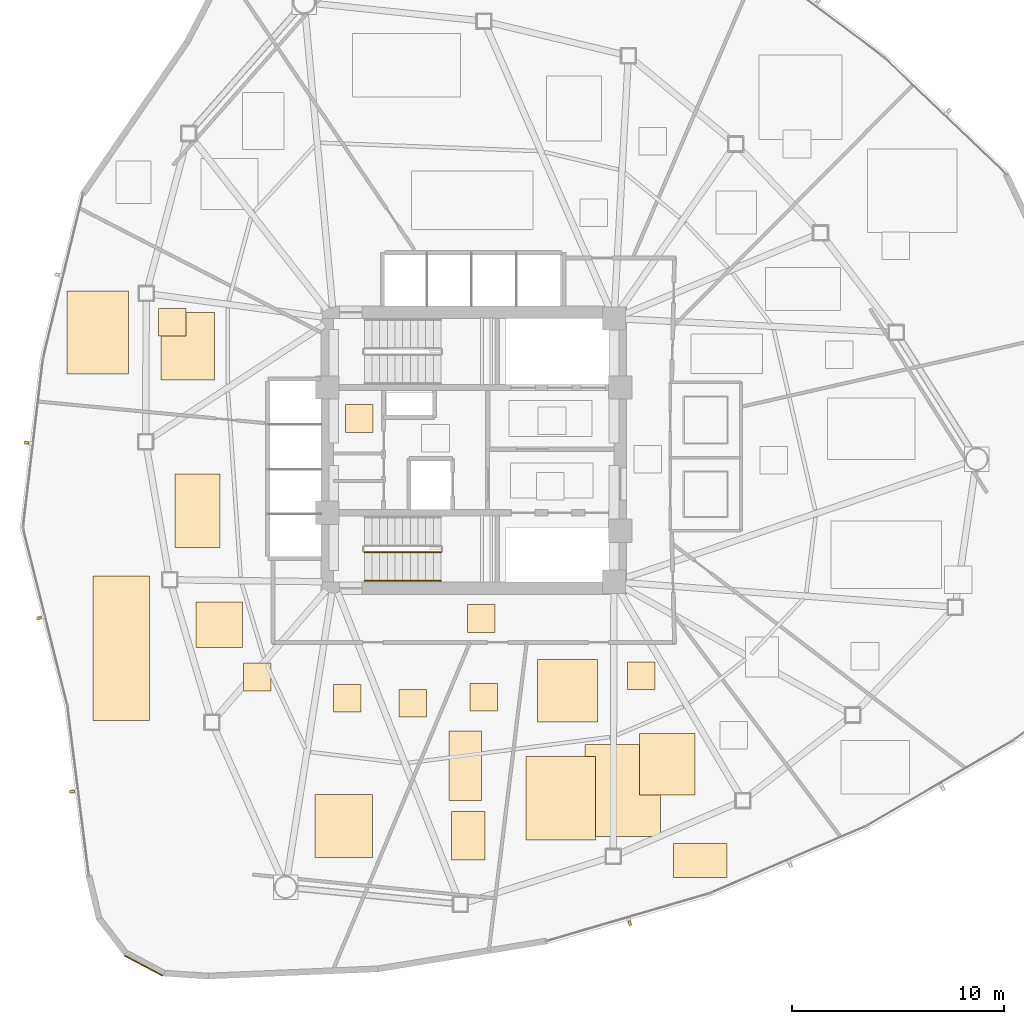
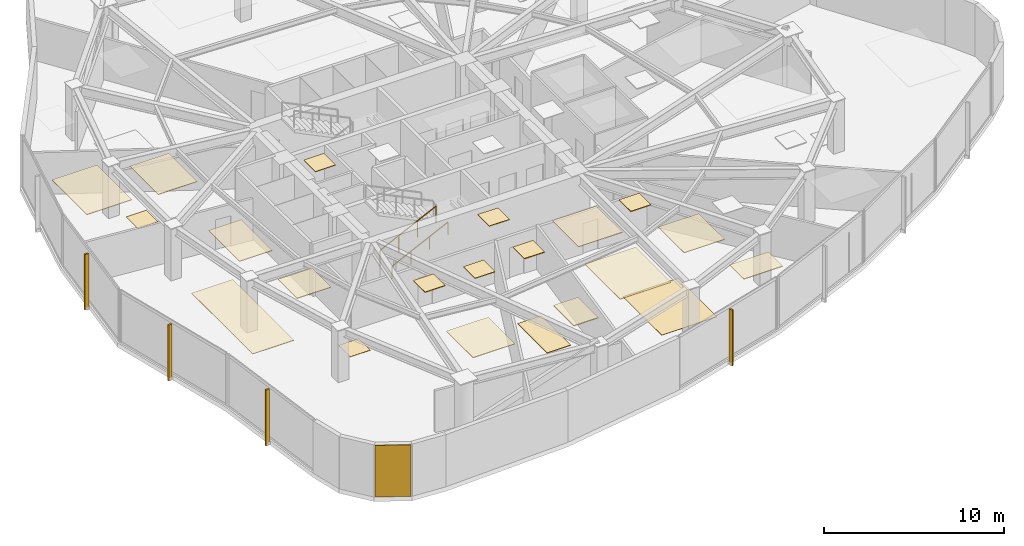
# One storey, part 14 of 17: 22 coverings, 4 shading devices, 2 railings.
"""IFC4 building model written with IfcOpenShell, lengths in metres."""

from ifc_helpers import new_model, si_unit, direction, frame, origin, origin_2d, place, context, subcontext, project, spatial, polyline, rectangle, outline, extrude, source, transform, mapped, material, layer, layer_set, type_object, type_shapes, element, save


model = new_model("IFC4")

# Units and contexts
model_context = context("Model", 3, precision=1e-05, world=origin(), true_north=direction((0.0, 1.0)))
body_context = subcontext(model_context, "Body", "Model", "MODEL_VIEW")
ifc_project = project(units=[si_unit("LENGTHUNIT", "METRE"), si_unit("AREAUNIT", "SQUARE_METRE"), si_unit("VOLUMEUNIT", "CUBIC_METRE"), si_unit("PLANEANGLEUNIT", "RADIAN"), si_unit("MASSUNIT", "GRAM", prefix="KILO")], contexts=[model_context])

# Site, building, storey
site_placement = place(None, origin())
site = spatial("IfcSite", under=ifc_project, at=site_placement, CompositionType="ELEMENT")
building_placement = place(site_placement, origin())
building = spatial("IfcBuilding", under=site, at=building_placement, Name="Tavelor Broadcast Tower", CompositionType="ELEMENT")
storey_placement = place(building_placement, frame((0.0, 0.0, 115.60009765625)))
storey = spatial("IfcBuildingStorey", under=building, at=storey_placement, Name="L26", CompositionType="ELEMENT", Elevation=115.60009765625)

# Covering
ifc_material_1 = material(Name="Copper-Bronze Anodized Aluminium", Category="aluminium")
ifc_layer_1 = layer(ifc_material_1, 0.050048828125)
ifc_layer_set_1 = layer_set([ifc_layer_1], Name="Copper-Bronze Anodized Aluminium")
covering_type_1 = type_object("IfcCoveringType", Name="Champagne-Bronze Corner Pier Metal Cladding 50 mm", PredefinedType="CLADDING", material=ifc_layer_set_1)
covering_1_placement = place(storey_placement, frame((34.444091796875, 20.732666015625, 0.02001953125), z_axis=(0.0, 0.0, 1.0), x_axis=(0.882537565484, -0.470241901057, 0.0)))
element("IfcCovering", 1, at=covering_1_placement, inside=storey, type_object=covering_type_1, Name="L26 Champagne-Bronze Corner Cladding 13", PredefinedType="CLADDING", context=body_context, shape_type="SweptSolid", body=[
    extrude(rectangle(XDim=2.01171875, YDim=0.050048828125, at=origin_2d()), origin(), (0.0, 0.0, 1.0), 3.510009765625),
])

# Railing
ifc_material_2 = material(Name="Steel S355", Category="steel")
railing_type_1 = type_object("IfcRailingType", Name="Continuous Brushed Stainless Handrail 900 mm", PredefinedType="HANDRAIL", material=ifc_material_2)
railing_1_placement = place(storey_placement, frame((44.85009765625, 38.85009765625, 0.1748046875)))
element("IfcRailing", 2, at=railing_1_placement, inside=storey, type_object=railing_type_1, Name="L26 ST2 stair handrail 1", PredefinedType="HANDRAIL", context=body_context, shape_type="SweptSolid", body=[
    extrude(rectangle(XDim=0.048095703125, YDim=0.048095703125, at=origin_2d()), frame((0.0, 0.0, 0.8759765625), z_axis=(0.899360859046, 0.0, 0.437207096483), x_axis=(0.0, 1.0, 0.0)), (0.0, 0.0, 1.0), 4.002685546875),
    extrude(rectangle(XDim=0.0419921875, YDim=0.0419921875, at=origin_2d()), origin(), (0.0, 0.0, 1.0), 0.851806640625),
    extrude(rectangle(XDim=0.0419921875, YDim=0.0419921875, at=origin_2d()), frame((1.199951171875, 0.0, 0.583251953125)), (0.0, 0.0, 1.0), 0.851806640625),
    extrude(rectangle(XDim=0.0419921875, YDim=0.0419921875, at=origin_2d()), frame((2.39990234375, 0.0, 1.166748046875)), (0.0, 0.0, 1.0), 0.851806640625),
    extrude(rectangle(XDim=0.0419921875, YDim=0.0419921875, at=origin_2d()), frame((3.599853515625, 0.0, 1.75)), (0.0, 0.0, 1.0), 0.851806640625),
])

# Coverings
ifc_material_3 = material(Name="Architectural Anodized Aluminium", Category="aluminium")
ifc_layer_2 = layer(ifc_material_3, 0.034912109375)
ifc_layer_set_2 = layer_set([ifc_layer_2], Name="Architectural Anodized Aluminium")
covering_type_2 = type_object("IfcCoveringType", Name="Demountable Metal Tile Corridor Ceiling 35 mm", PredefinedType="CEILING", material=ifc_layer_set_2)
covering_2_placement = place(storey_placement, frame((0.0, 0.0, 3.514892578125)))
element("IfcCovering", 3, at=covering_2_placement, inside=storey, type_object=covering_type_2, Name="L26 Suspended Acoustic Ceiling 1008", PredefinedType="CEILING", context=body_context, shape_type="SweptSolid", body=[
    extrude(outline(polyline([(49.694091796875, 36.425048828125), (50.994140625, 36.425048828125), (50.994140625, 37.72509765625), (49.694091796875, 37.72509765625), (49.694091796875, 36.425048828125)])), origin(), (0.0, 0.0, 1.0), 0.034912109375),
])
ifc_material_4 = material(Name="Acoustic Nylon Carpet Tile")
ifc_layer_3 = layer(ifc_material_4, 0.02001953125)
ifc_layer_set_3 = layer_set([ifc_layer_3], Name="Acoustic Nylon Carpet Tile")
covering_type_3 = type_object("IfcCoveringType", Name="Heavy-Duty Acoustic Broadcast Carpet Tile 20 mm", PredefinedType="FLOORING", material=ifc_layer_set_3)
covering_3_placement = place(storey_placement, origin())
element("IfcCovering", 4, at=covering_3_placement, inside=storey, type_object=covering_type_3, Name="L26 Broadcast Floor Finish 0360", PredefinedType="FLOORING", context=body_context, shape_type="SweptSolid", body=[
    extrude(outline(polyline([(55.229248046875, 26.821533203125), (58.79541015625, 26.821533203125), (58.79541015625, 31.140869140625), (55.229248046875, 31.140869140625), (55.229248046875, 26.821533203125)])), origin(), (0.0, 0.0, 1.0), 0.02001953125),
])
covering_4_placement = place(storey_placement, origin())
element("IfcCovering", 5, at=covering_4_placement, inside=storey, type_object=covering_type_3, Name="L26 Broadcast Floor Finish 0362", PredefinedType="FLOORING", context=body_context, shape_type="SweptSolid", body=[
    extrude(outline(polyline([(39.155517578125, 33.671630859375), (40.45556640625, 33.671630859375), (40.45556640625, 34.9716796875), (39.155517578125, 34.9716796875), (39.155517578125, 33.671630859375)])), origin(), (0.0, 0.0, 1.0), 0.02001953125),
])
covering_5_placement = place(storey_placement, origin())
element("IfcCovering", 6, at=covering_5_placement, inside=storey, type_object=covering_type_3, Name="L26 Broadcast Floor Finish 0363", PredefinedType="FLOORING", context=body_context, shape_type="SweptSolid", body=[
    extrude(outline(polyline([(35.14990234375, 50.377685546875), (36.449951171875, 50.377685546875), (36.449951171875, 51.677490234375), (35.14990234375, 51.677490234375), (35.14990234375, 50.377685546875)])), origin(), (0.0, 0.0, 1.0), 0.02001953125),
])
ifc_material_5 = material(Name="Acoustic Hardwood Studio Flooring", Category="wood")
ifc_layer_4 = layer(ifc_material_5, 0.034912109375)
ifc_layer_set_4 = layer_set([ifc_layer_4], Name="Acoustic Hardwood Studio Flooring")
covering_type_4 = type_object("IfcCoveringType", Name="Isolated Studio Acoustic Elastomeric Floor Finish 35 mm", PredefinedType="FLOORING", material=ifc_layer_set_4)
covering_6_placement = place(storey_placement, origin())
element("IfcCovering", 7, at=covering_6_placement, inside=storey, type_object=covering_type_4, Name="L26 Broadcast Floor Finish 0361", PredefinedType="FLOORING", context=body_context, shape_type="SweptSolid", body=[
    extrude(outline(polyline([(48.83544921875, 28.502197265625), (50.355712890625, 28.502197265625), (50.355712890625, 31.788818359375), (48.83544921875, 31.788818359375), (48.83544921875, 28.502197265625)])), origin(), (0.0, 0.0, 1.0), 0.034912109375),
])
ifc_material_6 = material(Name="Acoustic Perforated Timber Baffle", Category="wood")
ifc_layer_5 = layer(ifc_material_6, 0.054931640625)
ifc_layer_set_5 = layer_set([ifc_layer_5], Name="Acoustic Perforated Timber Baffle")
covering_type_5 = type_object("IfcCoveringType", Name="Micro-Perforated Acoustic Baffle Studio Ceiling 55 mm", PredefinedType="CEILING", material=ifc_layer_set_5)
covering_7_placement = place(storey_placement, frame((0.0, 0.0, 3.494873046875)))
element("IfcCovering", 8, at=covering_7_placement, inside=storey, type_object=covering_type_5, Name="L26 Suspended Acoustic Ceiling 1028", PredefinedType="CEILING", context=body_context, shape_type="SweptSolid", body=[
    extrude(outline(polyline([(49.8134765625, 32.716796875), (51.113525390625, 32.716796875), (51.113525390625, 34.0166015625), (49.8134765625, 34.0166015625), (49.8134765625, 32.716796875)])), origin(), (0.0, 0.0, 1.0), 0.054931640625),
])
covering_8_placement = place(storey_placement, frame((0.0, 0.0, 3.494873046875)))
element("IfcCovering", 9, at=covering_8_placement, inside=storey, type_object=covering_type_5, Name="L26 Suspended Acoustic Ceiling 1029", PredefinedType="CEILING", context=body_context, shape_type="SweptSolid", body=[
    extrude(outline(polyline([(48.939453125, 25.694580078125), (50.518798828125, 25.694580078125), (50.518798828125, 27.979736328125), (48.939453125, 27.979736328125), (48.939453125, 25.694580078125)])), origin(), (0.0, 0.0, 1.0), 0.054931640625),
])
ifc_layer_6 = layer(ifc_material_3, 0.030029296875)
ifc_layer_set_6 = layer_set([ifc_layer_6], Name="Architectural Anodized Aluminium")
covering_type_6 = type_object("IfcCoveringType", Name="Moisture-Resistant Washroom Ceiling 30 mm", PredefinedType="CEILING", material=ifc_layer_set_6)
covering_9_placement = place(storey_placement, frame((0.0, 0.0, 3.52001953125)))
element("IfcCovering", 10, at=covering_9_placement, inside=storey, type_object=covering_type_6, Name="L26 Suspended Acoustic Ceiling 1007", PredefinedType="CEILING", context=body_context, shape_type="SweptSolid", body=[
    extrude(outline(polyline([(43.951416015625, 45.843017578125), (45.25146484375, 45.843017578125), (45.25146484375, 47.14306640625), (43.951416015625, 47.14306640625), (43.951416015625, 45.843017578125)])), origin(), (0.0, 0.0, 1.0), 0.02978515625),
])

# Railing
railing_type_2 = type_object("IfcRailingType", Name="Stairwell Steel Safety Guardrail 1150 mm", PredefinedType="GUARDRAIL", material=ifc_material_2)
railing_2_placement = place(storey_placement, frame((44.85009765625, 40.199951171875, 0.1748046875)))
element("IfcRailing", 11, at=railing_2_placement, inside=storey, type_object=railing_type_2, Name="L26 ST2 stair guard 1", PredefinedType="GUARDRAIL", context=body_context, shape_type="SweptSolid", body=[
    extrude(rectangle(XDim=0.048095703125, YDim=0.048095703125, at=origin_2d()), frame((0.0, 0.0, 1.1259765625), z_axis=(0.899360859046, 0.0, 0.437207096483), x_axis=(0.0, 1.0, 0.0)), (0.0, 0.0, 1.0), 4.002685546875),
    extrude(rectangle(XDim=0.0419921875, YDim=0.0419921875, at=origin_2d()), origin(), (0.0, 0.0, 1.0), 1.101806640625),
    extrude(rectangle(XDim=0.0419921875, YDim=0.0419921875, at=origin_2d()), frame((1.199951171875, 0.0, 0.583251953125)), (0.0, 0.0, 1.0), 1.101806640625),
    extrude(rectangle(XDim=0.0419921875, YDim=0.0419921875, at=origin_2d()), frame((2.39990234375, 0.0, 1.166748046875)), (0.0, 0.0, 1.0), 1.101806640625),
    extrude(rectangle(XDim=0.0419921875, YDim=0.0419921875, at=origin_2d()), frame((3.599853515625, 0.0, 1.75)), (0.0, 0.0, 1.0), 1.101806640625),
])

# Coverings
ifc_material_7 = material(Name="Acoustic Mineral Fibre Tile")
ifc_layer_7 = layer(ifc_material_7, 0.0400390625)
ifc_layer_set_7 = layer_set([ifc_layer_7], Name="Acoustic Mineral Fibre Tile")
covering_type_7 = type_object("IfcCoveringType", Name="Suspended Acoustic Mineral-Fibre Office Ceiling 40 mm", PredefinedType="CEILING", material=ifc_layer_set_7)
covering_10_placement = place(storey_placement, frame((0.0, 0.0, 3.510009765625)))
element("IfcCovering", 12, at=covering_10_placement, inside=storey, type_object=covering_type_7, Name="L26 Suspended Acoustic Ceiling 1022", PredefinedType="CEILING", context=body_context, shape_type="SweptSolid", body=[
    extrude(outline(polyline([(59.404052734375, 24.887939453125), (61.91162109375, 24.887939453125), (61.91162109375, 26.48876953125), (59.404052734375, 26.48876953125), (59.404052734375, 24.887939453125)])), origin(), (0.0, 0.0, 1.0), 0.039794921875),
])
covering_11_placement = place(storey_placement, frame((0.0, 0.0, 3.510009765625)))
element("IfcCovering", 13, at=covering_11_placement, inside=storey, type_object=covering_type_7, Name="L26 Suspended Acoustic Ceiling 1023", PredefinedType="CEILING", context=body_context, shape_type="SweptSolid", body=[
    extrude(outline(polyline([(52.455078125, 26.642333984375), (55.730712890625, 26.642333984375), (55.730712890625, 30.578125), (52.455078125, 30.578125), (52.455078125, 26.642333984375)])), origin(), (0.0, 0.0, 1.0), 0.039794921875),
])
covering_12_placement = place(storey_placement, frame((0.0, 0.0, 3.510009765625)))
element("IfcCovering", 14, at=covering_12_placement, inside=storey, type_object=covering_type_7, Name="L26 Suspended Acoustic Ceiling 1024", PredefinedType="CEILING", context=body_context, shape_type="SweptSolid", body=[
    extrude(outline(polyline([(52.992919921875, 32.205322265625), (55.8291015625, 32.205322265625), (55.8291015625, 35.133544921875), (52.992919921875, 35.133544921875), (52.992919921875, 32.205322265625)])), origin(), (0.0, 0.0, 1.0), 0.039794921875),
])
covering_13_placement = place(storey_placement, frame((0.0, 0.0, 3.510009765625)))
element("IfcCovering", 15, at=covering_13_placement, inside=storey, type_object=covering_type_7, Name="L26 Suspended Acoustic Ceiling 1025", PredefinedType="CEILING", context=body_context, shape_type="SweptSolid", body=[
    extrude(outline(polyline([(57.23193359375, 33.720703125), (58.531982421875, 33.720703125), (58.531982421875, 35.0205078125), (57.23193359375, 35.0205078125), (57.23193359375, 33.720703125)])), origin(), (0.0, 0.0, 1.0), 0.039794921875),
])
covering_14_placement = place(storey_placement, frame((0.0, 0.0, 3.510009765625)))
element("IfcCovering", 16, at=covering_14_placement, inside=storey, type_object=covering_type_7, Name="L26 Suspended Acoustic Ceiling 1027", PredefinedType="CEILING", context=body_context, shape_type="SweptSolid", body=[
    extrude(outline(polyline([(57.797607421875, 28.764892578125), (60.40673828125, 28.764892578125), (60.40673828125, 31.652099609375), (57.797607421875, 31.652099609375), (57.797607421875, 28.764892578125)])), origin(), (0.0, 0.0, 1.0), 0.039794921875),
])
covering_15_placement = place(storey_placement, frame((0.0, 0.0, 3.510009765625)))
element("IfcCovering", 17, at=covering_15_placement, inside=storey, type_object=covering_type_7, Name="L26 Suspended Acoustic Ceiling 1030", PredefinedType="CEILING", context=body_context, shape_type="SweptSolid", body=[
    extrude(outline(polyline([(32.07861328125, 32.268798828125), (34.735595703125, 32.268798828125), (34.735595703125, 39.0849609375), (32.07861328125, 39.0849609375), (32.07861328125, 32.268798828125)])), origin(), (0.0, 0.0, 1.0), 0.039794921875),
])
covering_16_placement = place(storey_placement, frame((0.0, 0.0, 3.510009765625)))
element("IfcCovering", 18, at=covering_16_placement, inside=storey, type_object=covering_type_7, Name="L26 Suspended Acoustic Ceiling 1031", PredefinedType="CEILING", context=body_context, shape_type="SweptSolid", body=[
    extrude(outline(polyline([(35.940673828125, 40.42431640625), (38.0458984375, 40.42431640625), (38.0458984375, 43.874755859375), (35.940673828125, 43.874755859375), (35.940673828125, 40.42431640625)])), origin(), (0.0, 0.0, 1.0), 0.039794921875),
])
covering_17_placement = place(storey_placement, frame((0.0, 0.0, 3.510009765625)))
element("IfcCovering", 19, at=covering_17_placement, inside=storey, type_object=covering_type_7, Name="L26 Suspended Acoustic Ceiling 1032", PredefinedType="CEILING", context=body_context, shape_type="SweptSolid", body=[
    extrude(outline(polyline([(43.39013671875, 32.662353515625), (44.690185546875, 32.662353515625), (44.690185546875, 33.96240234375), (43.39013671875, 33.96240234375), (43.39013671875, 32.662353515625)])), origin(), (0.0, 0.0, 1.0), 0.039794921875),
])
covering_18_placement = place(storey_placement, frame((0.0, 0.0, 3.510009765625)))
element("IfcCovering", 20, at=covering_18_placement, inside=storey, type_object=covering_type_7, Name="L26 Suspended Acoustic Ceiling 1033", PredefinedType="CEILING", context=body_context, shape_type="SweptSolid", body=[
    extrude(outline(polyline([(46.46728515625, 32.436279296875), (47.76708984375, 32.436279296875), (47.76708984375, 33.736083984375), (46.46728515625, 33.736083984375), (46.46728515625, 32.436279296875)])), origin(), (0.0, 0.0, 1.0), 0.039794921875),
])
covering_19_placement = place(storey_placement, frame((0.0, 0.0, 3.510009765625)))
element("IfcCovering", 21, at=covering_19_placement, inside=storey, type_object=covering_type_7, Name="L26 Suspended Acoustic Ceiling 1034", PredefinedType="CEILING", context=body_context, shape_type="SweptSolid", body=[
    extrude(outline(polyline([(42.527099609375, 25.81787109375), (45.2255859375, 25.81787109375), (45.2255859375, 28.79833984375), (42.527099609375, 28.79833984375), (42.527099609375, 25.81787109375)])), origin(), (0.0, 0.0, 1.0), 0.039794921875),
])
covering_20_placement = place(storey_placement, frame((0.0, 0.0, 3.510009765625)))
element("IfcCovering", 22, at=covering_20_placement, inside=storey, type_object=covering_type_7, Name="L26 Suspended Acoustic Ceiling 1035", PredefinedType="CEILING", context=body_context, shape_type="SweptSolid", body=[
    extrude(outline(polyline([(36.922119140625, 35.704345703125), (39.109375, 35.704345703125), (39.109375, 37.8427734375), (36.922119140625, 37.8427734375), (36.922119140625, 35.704345703125)])), origin(), (0.0, 0.0, 1.0), 0.039794921875),
])
covering_21_placement = place(storey_placement, frame((0.0, 0.0, 3.510009765625)))
element("IfcCovering", 23, at=covering_21_placement, inside=storey, type_object=covering_type_7, Name="L26 Suspended Acoustic Ceiling 1036", PredefinedType="CEILING", context=body_context, shape_type="SweptSolid", body=[
    extrude(outline(polyline([(35.260498046875, 48.305419921875), (37.779052734375, 48.305419921875), (37.779052734375, 51.47705078125), (35.260498046875, 51.47705078125), (35.260498046875, 48.305419921875)])), origin(), (0.0, 0.0, 1.0), 0.039794921875),
])
covering_22_placement = place(storey_placement, frame((0.0, 0.0, 3.510009765625)))
element("IfcCovering", 24, at=covering_22_placement, inside=storey, type_object=covering_type_7, Name="L26 Suspended Acoustic Ceiling 1037", PredefinedType="CEILING", context=body_context, shape_type="SweptSolid", body=[
    extrude(outline(polyline([(30.841552734375, 48.59765625), (33.738525390625, 48.59765625), (33.738525390625, 52.4931640625), (30.841552734375, 52.4931640625), (30.841552734375, 48.59765625)])), origin(), (0.0, 0.0, 1.0), 0.039794921875),
])

# Shading devices
ifc_material_8 = material(Name="Kiln-Fired Glazed Terracotta", Category="masonry")
shading_device_type = type_object("IfcShadingDeviceType", Name="Extruded Terracotta Baguette Sun-Screen 110x240", PredefinedType="JALOUSIE", material=ifc_material_8)
shared_shape = source(origin(), body_context, "Body", "SweptSolid", [
    extrude(rectangle(XDim=0.110107421875, YDim=0.239990234375, at=origin_2d()), origin(), (0.0, 0.0, 1.0), 3.7900390625),
])
type_shapes(shading_device_type, [shared_shape])
for number, where, z_axis, x_axis, name in (
    (25, (28.943603515625, 45.3505859375, -0.260009765625), (0.0, 0.0, 1.0), (-0.117190744019, -0.993109424745, 0.0), "L26 Terracotta Baguette Fin 242"),
    (26, (29.52587890625, 37.096923828125, -0.260009765625), (0.0, 0.0, 1.0), (0.242091240466, -0.970253488162, 0.0), "L26 Terracotta Baguette Fin 243"),
    (27, (31.07373046875, 28.92333984375, -0.260009765625), (0.0, 0.0, 1.0), (0.124986912574, -0.992158390422, 0.0), "L26 Terracotta Baguette Fin 244"),
    (28, (57.34619140625, 22.72314453125, -0.260009765625), (0.0, 0.0, 1.0), (0.959707262339, 0.281001727065, 0.0), "L26 Terracotta Baguette Fin 245"),
):
    element("IfcShadingDevice", number, at=place(storey_placement, frame(where, z_axis=z_axis, x_axis=x_axis)), inside=storey, type_object=shading_device_type, Name=name, PredefinedType="JALOUSIE", context=body_context, shape_type="MappedRepresentation", body=[
        mapped(shared_shape, transform((0.0, 0.0, 0.0), scale=1.0)),
    ])

save(model, "model.ifc")
